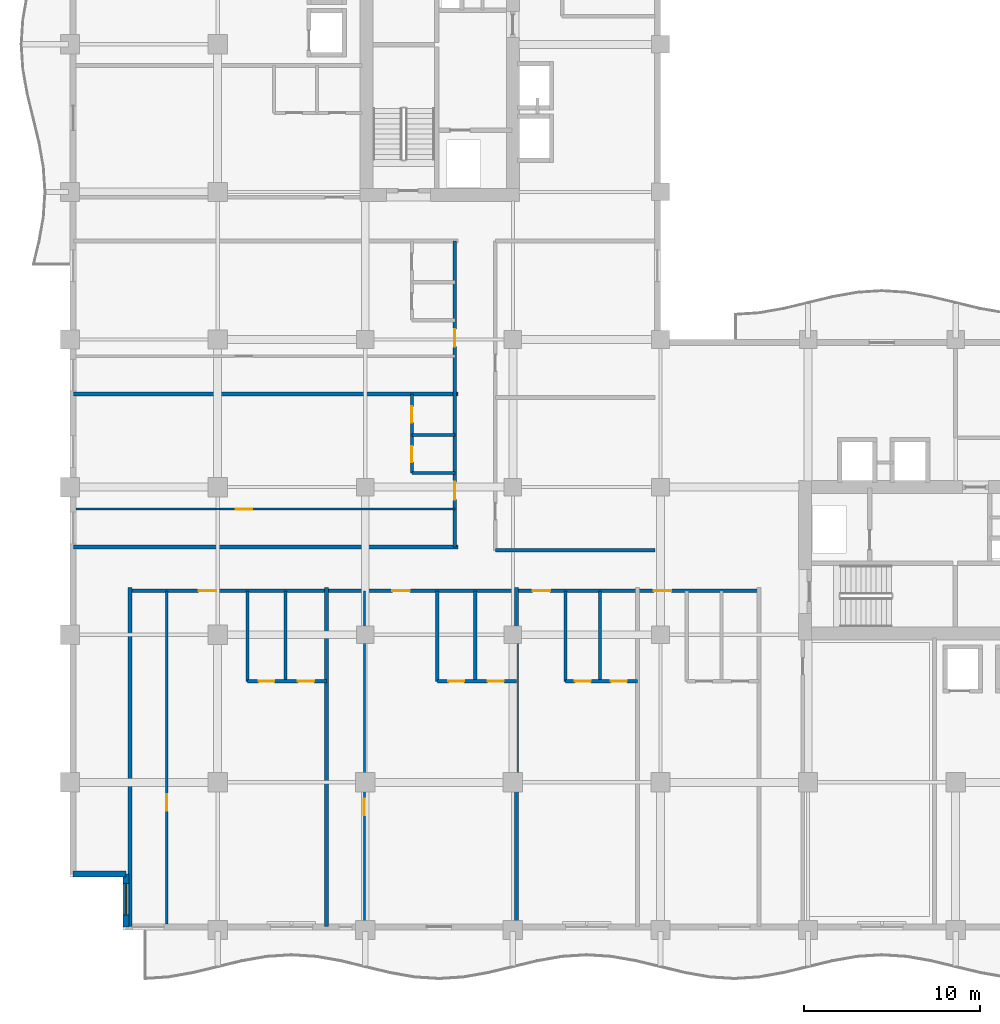
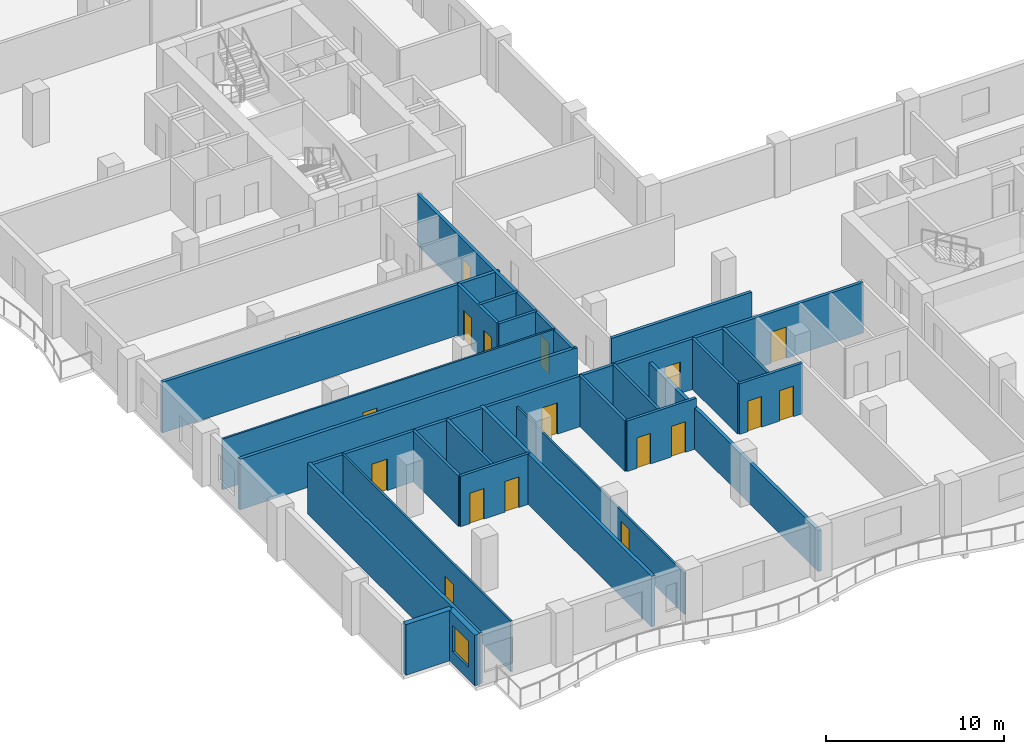
# One storey, part 9 of 22: 25 walls, 17 doors, 1 window, 18 openings.
"""IFC4 building model written with IfcOpenShell, lengths in metres."""

from ifc_helpers import new_model, si_unit, direction, frame, frame_2d, origin, place, context, subcontext, project, spatial, rectangle, extrude, material, layer, layer_set, type_object, element, fill, save


model = new_model("IFC4")

# Units and contexts
model_context = context("Model", 3, precision=1e-05, world=origin(), true_north=direction((0.0, 1.0)))
body_context = subcontext(model_context, "Body", "Model", "MODEL_VIEW")
ifc_project = project(units=[si_unit("LENGTHUNIT", "METRE"), si_unit("AREAUNIT", "SQUARE_METRE"), si_unit("VOLUMEUNIT", "CUBIC_METRE"), si_unit("PLANEANGLEUNIT", "RADIAN"), si_unit("MASSUNIT", "GRAM", prefix="KILO")], contexts=[model_context])

# Site, building, storey
site_placement = place(None, origin())
site = spatial("IfcSite", under=ifc_project, at=site_placement, CompositionType="ELEMENT")
building_placement = place(site_placement, origin())
building = spatial("IfcBuilding", under=site, at=building_placement, Name="Koriwani Terraces Tower", CompositionType="ELEMENT")
storey_placement = place(building_placement, frame((0.0, 0.0, 182.800048828125)))
storey = spatial("IfcBuildingStorey", under=building, at=storey_placement, Name="L44", CompositionType="ELEMENT", Elevation=182.800048828125)

# Wall
ifc_material_1 = material(Name="Autoclaved Cellular Concrete Blockwork", Category="masonry")
ifc_layer_1 = layer(ifc_material_1, 0.199951171875, Name="Autoclaved Cellular Concrete Blockwork")
ifc_layer_set_1 = layer_set([ifc_layer_1], Name="Autoclaved Cellular Concrete Blockwork")
wall_type_1 = type_object("IfcWallType", Name="WALL_CORRIDOR_200", PredefinedType="PARTITIONING", material=ifc_layer_set_1)
wall_1_placement = place(storey_placement, frame((24.199951171875, 21.60009765625, 0.0), z_axis=(0.0, 0.0, 1.0), x_axis=(1.0, 0.0, 0.0)))
element("IfcWall", 1, at=wall_1_placement, inside=storey, type_object=wall_type_1, Name="L44 Interior Wall WIC2-S-L44", PredefinedType="PARTITIONING", context=body_context, shape_type="SweptSolid", body=[
    extrude(rectangle(XDim=9.10009765625, YDim=0.199951171875, at=frame_2d((4.550048828125, 0.0))), origin(), (0.0, 0.0, 1.0), 3.469970703125),
])

# Wall, openings, doors
wall_2_placement = place(storey_placement, frame((3.39990234375, 19.300048828125, 0.0), z_axis=(0.0, 0.0, 1.0), x_axis=(1.0, 0.0, 0.0)))
wall_2 = element("IfcWall", 2, at=wall_2_placement, inside=storey, type_object=wall_type_1, Name="L44 Interior Wall WRCOR-L44-SW-0", PredefinedType="PARTITIONING", context=body_context, shape_type="SweptSolid", body=[
    extrude(rectangle(XDim=35.800048828125, YDim=0.199951171875, at=frame_2d((17.89990234375, 0.0))), origin(), (0.0, 0.0, 1.0), 3.469970703125),
])
opening_1_placement = place(wall_2_placement, frame((3.919921875, 0.0, 0.0)))
opening_1 = element("IfcOpeningElement", 3, at=opening_1_placement, cuts=wall_2, Name="Opening D-05", PredefinedType="OPENING", context=body_context, shape_type="SweptSolid", body=[
    extrude(rectangle(XDim=1.0, YDim=2.14990234375, at=frame_2d((0.5, 1.074951171875))), frame((0.0, 0.10986328125, 0.0), z_axis=(0.0, -1.0, 0.0), x_axis=(1.0, 0.0, 0.0)), (0.0, 0.0, 1.0), 0.219970703125),
])
opening_2_placement = place(wall_2_placement, frame((14.945068359375, 0.0, 0.0)))
opening_2 = element("IfcOpeningElement", 4, at=opening_2_placement, cuts=wall_2, Name="Opening D-05", PredefinedType="OPENING", context=body_context, shape_type="SweptSolid", body=[
    extrude(rectangle(XDim=1.0, YDim=2.14990234375, at=frame_2d((0.5, 1.074951171875))), frame((0.0, 0.10986328125, 0.0), z_axis=(0.0, -1.0, 0.0), x_axis=(1.0, 0.0, 0.0)), (0.0, 0.0, 1.0), 0.219970703125),
])
opening_3_placement = place(wall_2_placement, frame((22.919921875, 0.0, 0.0)))
opening_3 = element("IfcOpeningElement", 5, at=opening_3_placement, cuts=wall_2, Name="Opening D-05", PredefinedType="OPENING", context=body_context, shape_type="SweptSolid", body=[
    extrude(rectangle(XDim=1.0, YDim=2.14990234375, at=frame_2d((0.5, 1.074951171875))), frame((0.0, 0.10986328125, 0.0), z_axis=(0.0, -1.0, 0.0), x_axis=(1.0, 0.0, 0.0)), (0.0, 0.0, 1.0), 0.219970703125),
])
opening_4_placement = place(wall_2_placement, frame((29.820068359375, 0.0, 0.0)))
opening_4 = element("IfcOpeningElement", 6, at=opening_4_placement, cuts=wall_2, Name="Opening D-05", PredefinedType="OPENING", context=body_context, shape_type="SweptSolid", body=[
    extrude(rectangle(XDim=1.0, YDim=2.14990234375, at=frame_2d((0.5, 1.074951171875))), frame((0.0, 0.10986328125, 0.0), z_axis=(0.0, -1.0, 0.0), x_axis=(1.0, 0.0, 0.0)), (0.0, 0.0, 1.0), 0.219970703125),
])
ifc_material_2 = material(Name="Architectural Oak Fire Door", Category="wood")
door_type_1 = type_object("IfcDoorType", Name="DOOR_SUITE_ENTRY_1000X2150", OperationType="NOTDEFINED", PredefinedType="DOOR", material=ifc_material_2)
door_1_placement = place(opening_1_placement, origin())
door_1 = element("IfcDoor", 7, at=door_1_placement, inside=storey, type_object=door_type_1, Name="Apartment 44SW1 Entrance Door", OperationType="SINGLE_SWING_RIGHT", OverallHeight=2.14990234375, OverallWidth=1.0, PredefinedType="DOOR", context=body_context, shape_type="SweptSolid", body=[
    extrude(rectangle(XDim=1.0, YDim=2.14990234375, at=frame_2d((0.5, 1.074951171875))), frame((0.0, 0.02490234375, 0.0), z_axis=(0.0, -1.0, 0.0), x_axis=(1.0, 0.0, 0.0)), (0.0, 0.0, 1.0), 0.050048828125),
])
fill(opening_1, door_1)
door_2_placement = place(opening_2_placement, origin())
door_2 = element("IfcDoor", 8, at=door_2_placement, inside=storey, type_object=door_type_1, Name="Apartment 44SW2 Entrance Door", OperationType="SINGLE_SWING_RIGHT", OverallHeight=2.14990234375, OverallWidth=1.0, PredefinedType="DOOR", context=body_context, shape_type="SweptSolid", body=[
    extrude(rectangle(XDim=1.0, YDim=2.14990234375, at=frame_2d((0.5, 1.074951171875))), frame((0.0, 0.02490234375, 0.0), z_axis=(0.0, -1.0, 0.0), x_axis=(1.0, 0.0, 0.0)), (0.0, 0.0, 1.0), 0.050048828125),
])
fill(opening_2, door_2)
door_3_placement = place(opening_3_placement, origin())
door_3 = element("IfcDoor", 9, at=door_3_placement, inside=storey, type_object=door_type_1, Name="Apartment 44SW3 Entrance Door", OperationType="SINGLE_SWING_RIGHT", OverallHeight=2.14990234375, OverallWidth=1.0, PredefinedType="DOOR", context=body_context, shape_type="SweptSolid", body=[
    extrude(rectangle(XDim=1.0, YDim=2.14990234375, at=frame_2d((0.5, 1.074951171875))), frame((0.0, 0.02490234375, 0.0), z_axis=(0.0, -1.0, 0.0), x_axis=(1.0, 0.0, 0.0)), (0.0, 0.0, 1.0), 0.050048828125),
])
fill(opening_3, door_3)
door_4_placement = place(opening_4_placement, origin())
door_4 = element("IfcDoor", 10, at=door_4_placement, inside=storey, type_object=door_type_1, Name="Apartment 44SW4 Entrance Door", OperationType="SINGLE_SWING_LEFT", OverallHeight=2.14990234375, OverallWidth=1.0, PredefinedType="DOOR", context=body_context, shape_type="SweptSolid", body=[
    extrude(rectangle(XDim=1.0, YDim=2.14990234375, at=frame_2d((0.5, 1.074951171875))), frame((0.0, 0.02490234375, 0.0), z_axis=(0.0, -1.0, 0.0), x_axis=(1.0, 0.0, 0.0)), (0.0, 0.0, 1.0), 0.050048828125),
])
fill(opening_4, door_4)

wall_3_placement = place(storey_placement, frame((21.89990234375, 21.800048828125, 0.0), z_axis=(0.0, 0.0, 1.0), x_axis=(0.0, 1.0, 0.0)))
wall_3 = element("IfcWall", 11, at=wall_3_placement, inside=storey, type_object=wall_type_1, Name="L44 Interior Wall WRCOR-L44-NW-0", PredefinedType="PARTITIONING", context=body_context, shape_type="SweptSolid", body=[
    extrude(rectangle(XDim=17.39990234375, YDim=0.199951171875, at=frame_2d((8.699951171875, 0.0))), origin(), (0.0, 0.0, 1.0), 3.469970703125),
])
opening_5_placement = place(wall_3_placement, frame((2.695068359375, 0.0, 0.0)))
opening_5 = element("IfcOpeningElement", 12, at=opening_5_placement, cuts=wall_3, Name="Opening D-05", PredefinedType="OPENING", context=body_context, shape_type="SweptSolid", body=[
    extrude(rectangle(XDim=1.0, YDim=2.14990234375, at=frame_2d((0.5, 1.074951171875))), frame((0.0, 0.10986328125, 0.0), z_axis=(0.0, -1.0, 0.0), x_axis=(1.0, 0.0, 0.0)), (0.0, 0.0, 1.0), 0.219970703125),
])
opening_6_placement = place(wall_3_placement, frame((11.39501953125, 0.0, 0.0)))
opening_6 = element("IfcOpeningElement", 13, at=opening_6_placement, cuts=wall_3, Name="Opening D-05", PredefinedType="OPENING", context=body_context, shape_type="SweptSolid", body=[
    extrude(rectangle(XDim=1.0, YDim=2.14990234375, at=frame_2d((0.5, 1.074951171875))), frame((0.0, 0.10986328125, 0.0), z_axis=(0.0, -1.0, 0.0), x_axis=(1.0, 0.0, 0.0)), (0.0, 0.0, 1.0), 0.219970703125),
])
door_5_placement = place(opening_5_placement, origin())
door_5 = element("IfcDoor", 14, at=door_5_placement, inside=storey, type_object=door_type_1, Name="Apartment 44NW1 Entrance Door", OperationType="SINGLE_SWING_RIGHT", OverallHeight=2.14990234375, OverallWidth=1.0, PredefinedType="DOOR", context=body_context, shape_type="SweptSolid", body=[
    extrude(rectangle(XDim=1.0, YDim=2.14990234375, at=frame_2d((0.5, 1.074951171875))), frame((0.0, 0.02490234375, 0.0), z_axis=(0.0, -1.0, 0.0), x_axis=(1.0, 0.0, 0.0)), (0.0, 0.0, 1.0), 0.050048828125),
])
fill(opening_5, door_5)
door_6_placement = place(opening_6_placement, origin())
door_6 = element("IfcDoor", 15, at=door_6_placement, inside=storey, type_object=door_type_1, Name="Apartment 44NW2 Entrance Door", OperationType="SINGLE_SWING_RIGHT", OverallHeight=2.14990234375, OverallWidth=1.0, PredefinedType="DOOR", context=body_context, shape_type="SweptSolid", body=[
    extrude(rectangle(XDim=1.0, YDim=2.14990234375, at=frame_2d((0.5, 1.074951171875))), frame((0.0, 0.02490234375, 0.0), z_axis=(0.0, -1.0, 0.0), x_axis=(1.0, 0.0, 0.0)), (0.0, 0.0, 1.0), 0.050048828125),
])
fill(opening_6, door_6)

# Walls
ifc_layer_2 = layer(ifc_material_1, 0.219970703125, Name="Autoclaved Cellular Concrete Blockwork")
ifc_layer_set_2 = layer_set([ifc_layer_2], Name="Autoclaved Cellular Concrete Blockwork")
wall_type_2 = type_object("IfcWallType", Name="WALL_DEMISING_220", PredefinedType="PARTITIONING", material=ifc_layer_set_2)
for number, where, z_axis, x_axis, name in (
    (16, (3.39990234375, 0.199951171875, 0.0), (0.0, 0.0, 1.0), (0.0, 1.0, 0.0), "L44 Interior Wall WRDEM-L44-SW-0"),
    (17, (14.60009765625, 0.199951171875, 0.0), (0.0, 0.0, 1.0), (0.0, 1.0, 0.0), "L44 Interior Wall WRDEM-L44-SW-1"),
):
    element("IfcWall", number, at=place(storey_placement, frame(where, z_axis=z_axis, x_axis=x_axis)), inside=storey, type_object=wall_type_2, Name=name, PredefinedType="PARTITIONING", context=body_context, shape_type="SweptSolid", body=[
        extrude(rectangle(XDim=19.280029296875, YDim=0.219970703125, at=frame_2d((9.64013671875, 0.0))), origin(), (0.0, 0.0, 1.0), 3.469970703125),
    ])
wall_4_placement = place(storey_placement, frame((25.39990234375, 0.199951171875, 0.0), z_axis=(0.0, 0.0, 1.0), x_axis=(0.0, 1.0, 0.0)))
element("IfcWall", 18, at=wall_4_placement, inside=storey, type_object=wall_type_2, Name="L44 Interior Wall WRDEM-L44-SW-2", PredefinedType="PARTITIONING", context=body_context, shape_type="SweptSolid", body=[
    extrude(rectangle(XDim=19.280029296875, YDim=0.219970703125, at=frame_2d((9.64013671875, 0.0))), origin(), (0.0, 0.0, 1.0), 2.820068359375),
])
for number, where, z_axis, x_axis, name in (
    (19, (0.199951171875, 21.800048828125, 0.0), (0.0, 0.0, 1.0), (1.0, 0.0, 0.0), "L44 Interior Wall WRDEM-L44-NW-0"),
    (20, (0.199951171875, 30.5, 0.0), (0.0, 0.0, 1.0), (1.0, 0.0, 0.0), "L44 Interior Wall WRDEM-L44-NW-1"),
):
    element("IfcWall", number, at=place(storey_placement, frame(where, z_axis=z_axis, x_axis=x_axis)), inside=storey, type_object=wall_type_2, Name=name, PredefinedType="PARTITIONING", context=body_context, shape_type="SweptSolid", body=[
        extrude(rectangle(XDim=21.880126953125, YDim=0.219970703125, at=frame_2d((10.93994140625, 0.0))), origin(), (0.0, 0.0, 1.0), 3.469970703125),
    ])

# Wall, opening, window
ifc_material_3 = material(Name="Concrete C50/60", Category="concrete")
ifc_layer_3 = layer(ifc_material_3, 0.35009765625, Name="Concrete C50/60")
ifc_layer_set_3 = layer_set([ifc_layer_3], Name="Concrete C50/60")
wall_type_3 = type_object("IfcWallType", Name="WALL_EXT_BRUTALIST_350", PredefinedType="STANDARD", material=ifc_layer_set_3)
wall_5_placement = place(storey_placement, frame((3.175048828125, 0.175048828125, 0.0), z_axis=(0.0, 0.0, 1.0), x_axis=(0.0, 1.0, 0.0)))
wall_5 = element("IfcWall", 21, at=wall_5_placement, inside=storey, type_object=wall_type_3, Name="L44 Fair-Faced Brutalist Exterior Wall (N0)", PredefinedType="STANDARD", context=body_context, shape_type="SweptSolid", body=[
    extrude(rectangle(XDim=3.0, YDim=0.35009765625, at=frame_2d((1.5, 0.0))), origin(), (0.0, 0.0, 1.0), 3.469970703125),
])
opening_7_placement = place(wall_5_placement, frame((0.677490234375, 0.0, 0.85009765625)))
opening_7 = element("IfcOpeningElement", 22, at=opening_7_placement, cuts=wall_5, Name="Opening W-04", PredefinedType="OPENING", context=body_context, shape_type="SweptSolid", body=[
    extrude(rectangle(XDim=1.800048828125, YDim=1.800048828125, at=frame_2d((0.89990234375, 0.89990234375))), frame((0.0, 0.18505859375, 0.0), z_axis=(0.0, -1.0, 0.0), x_axis=(1.0, 0.0, 0.0)), (0.0, 0.0, 1.0), 0.3701171875),
])
ifc_material_4 = material(Name="Tempered Laminated Low-E Glass", Category="glass")
window_type = type_object("IfcWindowType", Name="WIN_RES_BED_1800X1800", PartitioningType="DOUBLE_PANEL_VERTICAL", PredefinedType="WINDOW", material=ifc_material_4)
window_placement = place(opening_7_placement, origin())
window = element("IfcWindow", 23, at=window_placement, inside=storey, type_object=window_type, Name="L44 Exterior Window (N0-R34)", OverallHeight=1.800048828125, OverallWidth=1.800048828125, PartitioningType="SINGLE_PANEL", PredefinedType="WINDOW", context=body_context, shape_type="SweptSolid", body=[
    extrude(rectangle(XDim=1.800048828125, YDim=1.800048828125, at=frame_2d((0.89990234375, 0.89990234375))), frame((0.0, 0.030029296875, 0.0), z_axis=(0.0, -1.0, 0.0), x_axis=(1.0, 0.0, 0.0)), (0.0, 0.0, 1.0), 0.06005859375),
])
fill(opening_7, window)

# Wall
wall_6_placement = place(storey_placement, frame((3.175048828125, 3.175048828125, 0.0), z_axis=(0.0, 0.0, 1.0), x_axis=(-1.0, 0.0, 0.0)))
element("IfcWall", 24, at=wall_6_placement, inside=storey, type_object=wall_type_3, Name="L44 Fair-Faced Brutalist Exterior Wall (N1)", PredefinedType="STANDARD", context=body_context, shape_type="SweptSolid", body=[
    extrude(rectangle(XDim=3.0, YDim=0.35009765625, at=frame_2d((1.5, 0.0))), origin(), (0.0, 0.0, 1.0), 3.469970703125),
])

# Wall, opening, door
ifc_material_5 = material(Name="Fire-Rated Acoustic Gypsum Partition", Category="masonry")
ifc_layer_4 = layer(ifc_material_5, 0.125, Name="Fire-Rated Acoustic Gypsum Partition")
ifc_layer_set_4 = layer_set([ifc_layer_4], Name="Fire-Rated Acoustic Gypsum Partition")
wall_type_4 = type_object("IfcWallType", Name="WALL_INT_125", PredefinedType="PARTITIONING", material=ifc_layer_set_4)
wall_7_placement = place(storey_placement, frame((5.5, 0.35009765625, 0.0), z_axis=(0.0, 0.0, 1.0), x_axis=(0.0, 1.0, 0.0)))
wall_7 = element("IfcWall", 25, at=wall_7_placement, inside=storey, type_object=wall_type_4, Name="L44 Interior Wall WRBED1-L44-SW-0", PredefinedType="PARTITIONING", context=body_context, shape_type="SweptSolid", body=[
    extrude(rectangle(XDim=18.949951171875, YDim=0.125, at=frame_2d((9.47509765625, 0.0))), origin(), (0.0, 0.0, 1.0), 3.469970703125),
])
opening_8_placement = place(wall_7_placement, frame((6.43994140625, 0.0, 0.0)))
opening_8 = element("IfcOpeningElement", 26, at=opening_8_placement, cuts=wall_7, Name="Opening D-06", PredefinedType="OPENING", context=body_context, shape_type="SweptSolid", body=[
    extrude(rectangle(XDim=0.919921875, YDim=2.10009765625, at=frame_2d((0.4599609375, 1.050048828125))), frame((0.0, 0.072509765625, 0.0), z_axis=(0.0, -1.0, 0.0), x_axis=(1.0, 0.0, 0.0)), (0.0, 0.0, 1.0), 0.14501953125),
])
door_type_2 = type_object("IfcDoorType", Name="DOOR_ROOM_INT_920X2100", OperationType="NOTDEFINED", PredefinedType="DOOR", material=ifc_material_2)
door_7_placement = place(opening_8_placement, origin())
door_7 = element("IfcDoor", 27, at=door_7_placement, inside=storey, type_object=door_type_2, Name="Apartment 44SW1 Master Bedroom Door", OperationType="SINGLE_SWING_LEFT", OverallHeight=2.10009765625, OverallWidth=0.919921875, PredefinedType="DOOR", context=body_context, shape_type="SweptSolid", body=[
    extrude(rectangle(XDim=0.919921875, YDim=2.10009765625, at=frame_2d((0.4599609375, 1.050048828125))), frame((0.0, 0.02490234375, 0.0), z_axis=(0.0, -1.0, 0.0), x_axis=(1.0, 0.0, 0.0)), (0.0, 0.0, 1.0), 0.050048828125),
])
fill(opening_8, door_7)

wall_8_placement = place(storey_placement, frame((16.75, 0.35009765625, 0.0), z_axis=(0.0, 0.0, 1.0), x_axis=(0.0, 1.0, 0.0)))
wall_8 = element("IfcWall", 28, at=wall_8_placement, inside=storey, type_object=wall_type_4, Name="L44 Interior Wall WRBED1-L44-SW-1", PredefinedType="PARTITIONING", context=body_context, shape_type="SweptSolid", body=[
    extrude(rectangle(XDim=18.949951171875, YDim=0.125, at=frame_2d((9.47509765625, 0.0))), origin(), (0.0, 0.0, 1.0), 2.820068359375),
])
opening_9_placement = place(wall_8_placement, frame((6.18994140625, 0.0, 0.0)))
opening_9 = element("IfcOpeningElement", 29, at=opening_9_placement, cuts=wall_8, Name="Opening D-06", PredefinedType="OPENING", context=body_context, shape_type="SweptSolid", body=[
    extrude(rectangle(XDim=0.919921875, YDim=2.10009765625, at=frame_2d((0.4599609375, 1.050048828125))), frame((0.0, 0.072509765625, 0.0), z_axis=(0.0, -1.0, 0.0), x_axis=(1.0, 0.0, 0.0)), (0.0, 0.0, 1.0), 0.14501953125),
])
door_8_placement = place(opening_9_placement, origin())
door_8 = element("IfcDoor", 30, at=door_8_placement, inside=storey, type_object=door_type_2, Name="Apartment 44SW2 Master Bedroom Door", OperationType="SINGLE_SWING_LEFT", OverallHeight=2.10009765625, OverallWidth=0.919921875, PredefinedType="DOOR", context=body_context, shape_type="SweptSolid", body=[
    extrude(rectangle(XDim=0.919921875, YDim=2.10009765625, at=frame_2d((0.4599609375, 1.050048828125))), frame((0.0, 0.02490234375, 0.0), z_axis=(0.0, -1.0, 0.0), x_axis=(1.0, 0.0, 0.0)), (0.0, 0.0, 1.0), 0.050048828125),
])
fill(opening_9, door_8)

wall_9_placement = place(storey_placement, frame((0.35009765625, 23.949951171875, 0.0), z_axis=(0.0, 0.0, 1.0), x_axis=(1.0, 0.0, 0.0)))
wall_9 = element("IfcWall", 31, at=wall_9_placement, inside=storey, type_object=wall_type_4, Name="L44 Interior Wall WRBED1-L44-NW-0", PredefinedType="PARTITIONING", context=body_context, shape_type="SweptSolid", body=[
    extrude(rectangle(XDim=21.5498046875, YDim=0.125, at=frame_2d((10.77490234375, 0.0))), origin(), (0.0, 0.0, 1.0), 3.469970703125),
])
opening_10_placement = place(wall_9_placement, frame((9.090087890625, 0.0, 0.0)))
opening_10 = element("IfcOpeningElement", 32, at=opening_10_placement, cuts=wall_9, Name="Opening D-06", PredefinedType="OPENING", context=body_context, shape_type="SweptSolid", body=[
    extrude(rectangle(XDim=0.919921875, YDim=2.10009765625, at=frame_2d((0.4599609375, 1.050048828125))), frame((0.0, 0.072509765625, 0.0), z_axis=(0.0, -1.0, 0.0), x_axis=(1.0, 0.0, 0.0)), (0.0, 0.0, 1.0), 0.14501953125),
])
door_9_placement = place(opening_10_placement, origin())
door_9 = element("IfcDoor", 33, at=door_9_placement, inside=storey, type_object=door_type_2, Name="Apartment 44NW1 Master Bedroom Door", OperationType="SINGLE_SWING_LEFT", OverallHeight=2.10009765625, OverallWidth=0.919921875, PredefinedType="DOOR", context=body_context, shape_type="SweptSolid", body=[
    extrude(rectangle(XDim=0.919921875, YDim=2.10009765625, at=frame_2d((0.4599609375, 1.050048828125))), frame((0.0, 0.02490234375, 0.0), z_axis=(0.0, -1.0, 0.0), x_axis=(1.0, 0.0, 0.0)), (0.0, 0.0, 1.0), 0.050048828125),
])
fill(opening_10, door_9)

# Wall, openings, doors
ifc_layer_5 = layer(ifc_material_5, 0.179931640625, Name="Fire-Rated Acoustic Gypsum Partition")
ifc_layer_set_5 = layer_set([ifc_layer_5], Name="Fire-Rated Acoustic Gypsum Partition")
wall_type_5 = type_object("IfcWallType", Name="WALL_PLUMBING_180", PredefinedType="PLUMBINGWALL", material=ifc_layer_set_5)
wall_10_placement = place(storey_placement, frame((10.10009765625, 14.14990234375, 0.0), z_axis=(0.0, 0.0, 1.0), x_axis=(1.0, 0.0, 0.0)))
wall_10 = element("IfcWall", 34, at=wall_10_placement, inside=storey, type_object=wall_type_5, Name="L44 Interior Wall WRSVC-L44-SW-0", PredefinedType="PLUMBINGWALL", context=body_context, shape_type="SweptSolid", body=[
    extrude(rectangle(XDim=4.5, YDim=0.179931640625, at=frame_2d((2.25, 0.0))), origin(), (0.0, 0.0, 1.0), 3.469970703125),
])
opening_11_placement = place(wall_10_placement, frame((0.6298828125, 0.0, 0.0)))
opening_11 = element("IfcOpeningElement", 35, at=opening_11_placement, cuts=wall_10, Name="Opening D-07", PredefinedType="OPENING", context=body_context, shape_type="SweptSolid", body=[
    extrude(rectangle(XDim=0.89990234375, YDim=2.10009765625, at=frame_2d((0.449951171875, 1.050048828125))), frame((0.0, 0.10009765625, 0.0), z_axis=(0.0, -1.0, 0.0), x_axis=(1.0, 0.0, 0.0)), (0.0, 0.0, 1.0), 0.199951171875),
])
opening_12_placement = place(wall_10_placement, frame((2.8701171875, 0.0, 0.0)))
opening_12 = element("IfcOpeningElement", 36, at=opening_12_placement, cuts=wall_10, Name="Opening D-06", PredefinedType="OPENING", context=body_context, shape_type="SweptSolid", body=[
    extrude(rectangle(XDim=0.919921875, YDim=2.10009765625, at=frame_2d((0.4599609375, 1.050048828125))), frame((0.0, 0.10009765625, 0.0), z_axis=(0.0, -1.0, 0.0), x_axis=(1.0, 0.0, 0.0)), (0.0, 0.0, 1.0), 0.199951171875),
])
door_type_3 = type_object("IfcDoorType", Name="DOOR_BATH_INT_900X2100", OperationType="NOTDEFINED", PredefinedType="DOOR", material=ifc_material_2)
door_10_placement = place(opening_11_placement, origin())
door_10 = element("IfcDoor", 37, at=door_10_placement, inside=storey, type_object=door_type_3, Name="Apartment 44SW1 Bathroom Door", OperationType="SINGLE_SWING_LEFT", OverallHeight=2.10009765625, OverallWidth=0.89990234375, PredefinedType="DOOR", context=body_context, shape_type="SweptSolid", body=[
    extrude(rectangle(XDim=0.89990234375, YDim=2.10009765625, at=frame_2d((0.449951171875, 1.050048828125))), frame((0.0, 0.02490234375, 0.0), z_axis=(0.0, -1.0, 0.0), x_axis=(1.0, 0.0, 0.0)), (0.0, 0.0, 1.0), 0.050048828125),
])
fill(opening_11, door_10)
door_11_placement = place(opening_12_placement, origin())
door_11 = element("IfcDoor", 38, at=door_11_placement, inside=storey, type_object=door_type_2, Name="Apartment 44SW1 Kitchen Door", OperationType="SINGLE_SWING_RIGHT", OverallHeight=2.10009765625, OverallWidth=0.919921875, PredefinedType="DOOR", context=body_context, shape_type="SweptSolid", body=[
    extrude(rectangle(XDim=0.919921875, YDim=2.10009765625, at=frame_2d((0.4599609375, 1.050048828125))), frame((0.0, 0.02490234375, 0.0), z_axis=(0.0, -1.0, 0.0), x_axis=(1.0, 0.0, 0.0)), (0.0, 0.0, 1.0), 0.050048828125),
])
fill(opening_12, door_11)

# Walls
for number, where, z_axis, x_axis, name in (
    (39, (10.10009765625, 14.14990234375, 0.0), (0.0, 0.0, 1.0), (0.0, 1.0, 0.0), "L44 Interior Wall WRSVCS-L44-SW-0"),
    (40, (12.260009765625, 14.14990234375, 0.0), (0.0, 0.0, 1.0), (0.0, 1.0, 0.0), "L44 Interior Wall WRSVCM-L44-SW-0"),
):
    element("IfcWall", number, at=place(storey_placement, frame(where, z_axis=z_axis, x_axis=x_axis)), inside=storey, type_object=wall_type_5, Name=name, PredefinedType="PLUMBINGWALL", context=body_context, shape_type="SweptSolid", body=[
        extrude(rectangle(XDim=5.150146484375, YDim=0.179931640625, at=frame_2d((2.5751953125, 0.0))), origin(), (0.0, 0.0, 1.0), 3.469970703125),
    ])

# Wall, openings, doors
wall_11_placement = place(storey_placement, frame((20.89990234375, 14.14990234375, 0.0), z_axis=(0.0, 0.0, 1.0), x_axis=(1.0, 0.0, 0.0)))
wall_11 = element("IfcWall", 41, at=wall_11_placement, inside=storey, type_object=wall_type_5, Name="L44 Interior Wall WRSVC-L44-SW-1", PredefinedType="PLUMBINGWALL", context=body_context, shape_type="SweptSolid", body=[
    extrude(rectangle(XDim=4.5, YDim=0.179931640625, at=frame_2d((2.25, 0.0))), origin(), (0.0, 0.0, 1.0), 3.469970703125),
])
opening_13_placement = place(wall_11_placement, frame((0.6298828125, 0.0, 0.0)))
opening_13 = element("IfcOpeningElement", 42, at=opening_13_placement, cuts=wall_11, Name="Opening D-07", PredefinedType="OPENING", context=body_context, shape_type="SweptSolid", body=[
    extrude(rectangle(XDim=0.89990234375, YDim=2.10009765625, at=frame_2d((0.449951171875, 1.050048828125))), frame((0.0, 0.10009765625, 0.0), z_axis=(0.0, -1.0, 0.0), x_axis=(1.0, 0.0, 0.0)), (0.0, 0.0, 1.0), 0.199951171875),
])
opening_14_placement = place(wall_11_placement, frame((2.8701171875, 0.0, 0.0)))
opening_14 = element("IfcOpeningElement", 43, at=opening_14_placement, cuts=wall_11, Name="Opening D-06", PredefinedType="OPENING", context=body_context, shape_type="SweptSolid", body=[
    extrude(rectangle(XDim=0.919921875, YDim=2.10009765625, at=frame_2d((0.4599609375, 1.050048828125))), frame((0.0, 0.10009765625, 0.0), z_axis=(0.0, -1.0, 0.0), x_axis=(1.0, 0.0, 0.0)), (0.0, 0.0, 1.0), 0.199951171875),
])
door_12_placement = place(opening_13_placement, origin())
door_12 = element("IfcDoor", 44, at=door_12_placement, inside=storey, type_object=door_type_3, Name="Apartment 44SW2 Bathroom Door", OperationType="SINGLE_SWING_LEFT", OverallHeight=2.10009765625, OverallWidth=0.89990234375, PredefinedType="DOOR", context=body_context, shape_type="SweptSolid", body=[
    extrude(rectangle(XDim=0.89990234375, YDim=2.10009765625, at=frame_2d((0.449951171875, 1.050048828125))), frame((0.0, 0.02490234375, 0.0), z_axis=(0.0, -1.0, 0.0), x_axis=(1.0, 0.0, 0.0)), (0.0, 0.0, 1.0), 0.050048828125),
])
fill(opening_13, door_12)
door_13_placement = place(opening_14_placement, origin())
door_13 = element("IfcDoor", 45, at=door_13_placement, inside=storey, type_object=door_type_2, Name="Apartment 44SW2 Kitchen Door", OperationType="SINGLE_SWING_RIGHT", OverallHeight=2.10009765625, OverallWidth=0.919921875, PredefinedType="DOOR", context=body_context, shape_type="SweptSolid", body=[
    extrude(rectangle(XDim=0.919921875, YDim=2.10009765625, at=frame_2d((0.4599609375, 1.050048828125))), frame((0.0, 0.02490234375, 0.0), z_axis=(0.0, -1.0, 0.0), x_axis=(1.0, 0.0, 0.0)), (0.0, 0.0, 1.0), 0.050048828125),
])
fill(opening_14, door_13)

# Walls
for number, where, z_axis, x_axis, name in (
    (46, (20.89990234375, 14.14990234375, 0.0), (0.0, 0.0, 1.0), (0.0, 1.0, 0.0), "L44 Interior Wall WRSVCS-L44-SW-1"),
    (47, (23.06005859375, 14.14990234375, 0.0), (0.0, 0.0, 1.0), (0.0, 1.0, 0.0), "L44 Interior Wall WRSVCM-L44-SW-1"),
):
    element("IfcWall", number, at=place(storey_placement, frame(where, z_axis=z_axis, x_axis=x_axis)), inside=storey, type_object=wall_type_5, Name=name, PredefinedType="PLUMBINGWALL", context=body_context, shape_type="SweptSolid", body=[
        extrude(rectangle(XDim=5.150146484375, YDim=0.179931640625, at=frame_2d((2.5751953125, 0.0))), origin(), (0.0, 0.0, 1.0), 3.469970703125),
    ])

# Wall, openings, doors
wall_12_placement = place(storey_placement, frame((28.199951171875, 14.14990234375, 0.0), z_axis=(0.0, 0.0, 1.0), x_axis=(1.0, 0.0, 0.0)))
wall_12 = element("IfcWall", 48, at=wall_12_placement, inside=storey, type_object=wall_type_5, Name="L44 Interior Wall WRSVC-L44-SW-2", PredefinedType="PLUMBINGWALL", context=body_context, shape_type="SweptSolid", body=[
    extrude(rectangle(XDim=4.10009765625, YDim=0.179931640625, at=frame_2d((2.050048828125, 0.0))), origin(), (0.0, 0.0, 1.0), 3.469970703125),
])
opening_15_placement = place(wall_12_placement, frame((0.533935546875, 0.0, 0.0)))
opening_15 = element("IfcOpeningElement", 49, at=opening_15_placement, cuts=wall_12, Name="Opening D-07", PredefinedType="OPENING", context=body_context, shape_type="SweptSolid", body=[
    extrude(rectangle(XDim=0.89990234375, YDim=2.10009765625, at=frame_2d((0.449951171875, 1.050048828125))), frame((0.0, 0.10009765625, 0.0), z_axis=(0.0, -1.0, 0.0), x_axis=(1.0, 0.0, 0.0)), (0.0, 0.0, 1.0), 0.199951171875),
])
opening_16_placement = place(wall_12_placement, frame((2.573974609375, 0.0, 0.0)))
opening_16 = element("IfcOpeningElement", 50, at=opening_16_placement, cuts=wall_12, Name="Opening D-06", PredefinedType="OPENING", context=body_context, shape_type="SweptSolid", body=[
    extrude(rectangle(XDim=0.919921875, YDim=2.10009765625, at=frame_2d((0.4599609375, 1.050048828125))), frame((0.0, 0.10009765625, 0.0), z_axis=(0.0, -1.0, 0.0), x_axis=(1.0, 0.0, 0.0)), (0.0, 0.0, 1.0), 0.199951171875),
])
door_14_placement = place(opening_15_placement, origin())
door_14 = element("IfcDoor", 51, at=door_14_placement, inside=storey, type_object=door_type_3, Name="Apartment 44SW3 Bathroom Door", OperationType="SINGLE_SWING_LEFT", OverallHeight=2.10009765625, OverallWidth=0.89990234375, PredefinedType="DOOR", context=body_context, shape_type="SweptSolid", body=[
    extrude(rectangle(XDim=0.89990234375, YDim=2.10009765625, at=frame_2d((0.449951171875, 1.050048828125))), frame((0.0, 0.02490234375, 0.0), z_axis=(0.0, -1.0, 0.0), x_axis=(1.0, 0.0, 0.0)), (0.0, 0.0, 1.0), 0.050048828125),
])
fill(opening_15, door_14)
door_15_placement = place(opening_16_placement, origin())
door_15 = element("IfcDoor", 52, at=door_15_placement, inside=storey, type_object=door_type_2, Name="Apartment 44SW3 Kitchen Door", OperationType="SINGLE_SWING_RIGHT", OverallHeight=2.10009765625, OverallWidth=0.919921875, PredefinedType="DOOR", context=body_context, shape_type="SweptSolid", body=[
    extrude(rectangle(XDim=0.919921875, YDim=2.10009765625, at=frame_2d((0.4599609375, 1.050048828125))), frame((0.0, 0.02490234375, 0.0), z_axis=(0.0, -1.0, 0.0), x_axis=(1.0, 0.0, 0.0)), (0.0, 0.0, 1.0), 0.050048828125),
])
fill(opening_16, door_15)

# Walls
for number, where, z_axis, x_axis, name in (
    (53, (28.199951171875, 14.14990234375, 0.0), (0.0, 0.0, 1.0), (0.0, 1.0, 0.0), "L44 Interior Wall WRSVCS-L44-SW-2"),
    (54, (30.16796875, 14.14990234375, 0.0), (0.0, 0.0, 1.0), (0.0, 1.0, 0.0), "L44 Interior Wall WRSVCM-L44-SW-2"),
):
    element("IfcWall", number, at=place(storey_placement, frame(where, z_axis=z_axis, x_axis=x_axis)), inside=storey, type_object=wall_type_5, Name=name, PredefinedType="PLUMBINGWALL", context=body_context, shape_type="SweptSolid", body=[
        extrude(rectangle(XDim=5.150146484375, YDim=0.179931640625, at=frame_2d((2.5751953125, 0.0))), origin(), (0.0, 0.0, 1.0), 3.469970703125),
    ])

# Wall, openings, doors
wall_13_placement = place(storey_placement, frame((19.449951171875, 26.0, 0.0), z_axis=(0.0, 0.0, 1.0), x_axis=(0.0, 1.0, 0.0)))
wall_13 = element("IfcWall", 55, at=wall_13_placement, inside=storey, type_object=wall_type_5, Name="L44 Interior Wall WRSVC-L44-NW-0", PredefinedType="PLUMBINGWALL", context=body_context, shape_type="SweptSolid", body=[
    extrude(rectangle(XDim=4.5, YDim=0.179931640625, at=frame_2d((2.25, 0.0))), origin(), (0.0, 0.0, 1.0), 3.469970703125),
])
opening_17_placement = place(wall_13_placement, frame((0.6298828125, 0.0, 0.0)))
opening_17 = element("IfcOpeningElement", 56, at=opening_17_placement, cuts=wall_13, Name="Opening D-07", PredefinedType="OPENING", context=body_context, shape_type="SweptSolid", body=[
    extrude(rectangle(XDim=0.89990234375, YDim=2.10009765625, at=frame_2d((0.449951171875, 1.050048828125))), frame((0.0, 0.10009765625, 0.0), z_axis=(0.0, -1.0, 0.0), x_axis=(1.0, 0.0, 0.0)), (0.0, 0.0, 1.0), 0.199951171875),
])
opening_18_placement = place(wall_13_placement, frame((2.8701171875, 0.0, 0.0)))
opening_18 = element("IfcOpeningElement", 57, at=opening_18_placement, cuts=wall_13, Name="Opening D-06", PredefinedType="OPENING", context=body_context, shape_type="SweptSolid", body=[
    extrude(rectangle(XDim=0.919921875, YDim=2.10009765625, at=frame_2d((0.4599609375, 1.050048828125))), frame((0.0, 0.10009765625, 0.0), z_axis=(0.0, -1.0, 0.0), x_axis=(1.0, 0.0, 0.0)), (0.0, 0.0, 1.0), 0.199951171875),
])
door_16_placement = place(opening_17_placement, origin())
door_16 = element("IfcDoor", 58, at=door_16_placement, inside=storey, type_object=door_type_3, Name="Apartment 44NW1 Bathroom Door", OperationType="SINGLE_SWING_LEFT", OverallHeight=2.10009765625, OverallWidth=0.89990234375, PredefinedType="DOOR", context=body_context, shape_type="SweptSolid", body=[
    extrude(rectangle(XDim=0.89990234375, YDim=2.10009765625, at=frame_2d((0.449951171875, 1.050048828125))), frame((0.0, 0.02490234375, 0.0), z_axis=(0.0, -1.0, 0.0), x_axis=(1.0, 0.0, 0.0)), (0.0, 0.0, 1.0), 0.050048828125),
])
fill(opening_17, door_16)
door_17_placement = place(opening_18_placement, origin())
door_17 = element("IfcDoor", 59, at=door_17_placement, inside=storey, type_object=door_type_2, Name="Apartment 44NW1 Kitchen Door", OperationType="SINGLE_SWING_RIGHT", OverallHeight=2.10009765625, OverallWidth=0.919921875, PredefinedType="DOOR", context=body_context, shape_type="SweptSolid", body=[
    extrude(rectangle(XDim=0.919921875, YDim=2.10009765625, at=frame_2d((0.4599609375, 1.050048828125))), frame((0.0, 0.02490234375, 0.0), z_axis=(0.0, -1.0, 0.0), x_axis=(1.0, 0.0, 0.0)), (0.0, 0.0, 1.0), 0.050048828125),
])
fill(opening_18, door_17)

# Walls
for number, where, z_axis, x_axis, name in (
    (60, (19.449951171875, 26.0, 0.0), (0.0, 0.0, 1.0), (1.0, 0.0, 0.0), "L44 Interior Wall WRSVCS-L44-NW-0"),
    (61, (19.449951171875, 28.159912109375, 0.0), (0.0, 0.0, 1.0), (1.0, 0.0, 0.0), "L44 Interior Wall WRSVCM-L44-NW-0"),
):
    element("IfcWall", number, at=place(storey_placement, frame(where, z_axis=z_axis, x_axis=x_axis)), inside=storey, type_object=wall_type_5, Name=name, PredefinedType="PLUMBINGWALL", context=body_context, shape_type="SweptSolid", body=[
        extrude(rectangle(XDim=2.449951171875, YDim=0.179931640625, at=frame_2d((1.22509765625, 0.0))), origin(), (0.0, 0.0, 1.0), 3.469970703125),
    ])

save(model, "model.ifc")
